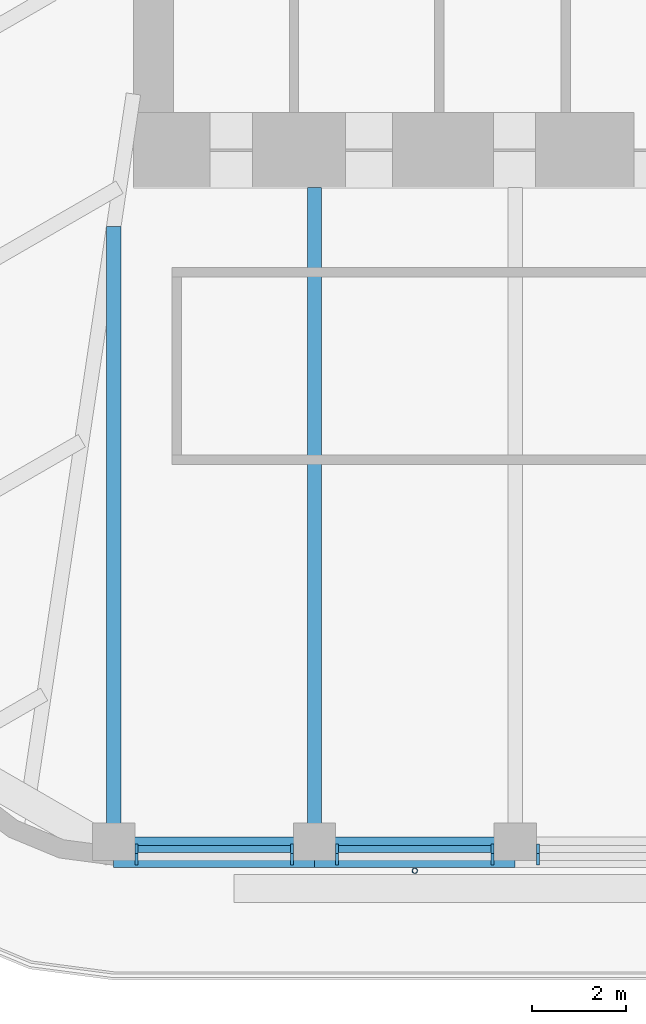
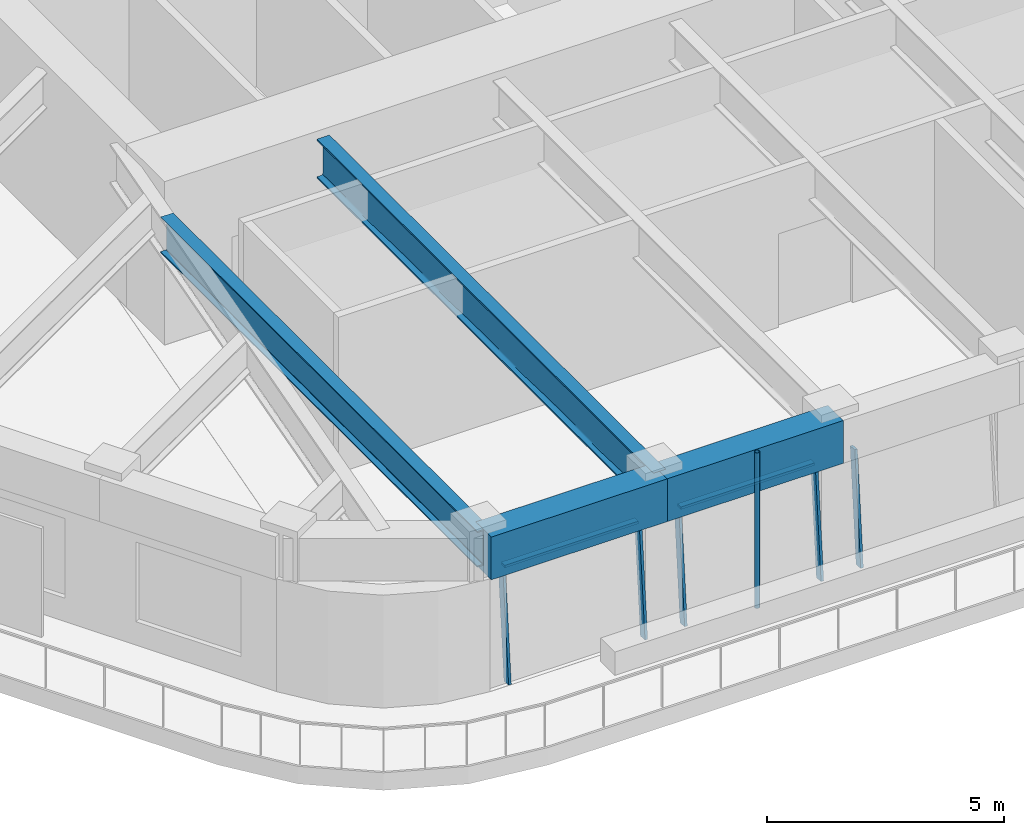
# One storey, part 2 of 19: 8 members, 4 beams, 3 elements without a shape of their own.
"""IFC4 building model written with IfcOpenShell, lengths in metres."""

from ifc_helpers import new_model, si_unit, direction, frame, origin, origin_2d, place, context, subcontext, project, spatial, rectangle, hollow_circle, i_section, extrude, material, material_profile, profile_set, type_object, element, aggregate, save


model = new_model("IFC4")

# Units and contexts
model_context = context("Model", 3, precision=1e-05, world=origin(), true_north=direction((0.0, 1.0)))
body_context = subcontext(model_context, "Body", "Model", "MODEL_VIEW")
ifc_project = project(units=[si_unit("LENGTHUNIT", "METRE"), si_unit("AREAUNIT", "SQUARE_METRE"), si_unit("VOLUMEUNIT", "CUBIC_METRE"), si_unit("PLANEANGLEUNIT", "RADIAN"), si_unit("MASSUNIT", "GRAM", prefix="KILO")], contexts=[model_context])

# Site, building, storey
site_placement = place(None, origin())
site = spatial("IfcSite", under=ifc_project, at=site_placement, CompositionType="ELEMENT")
building_placement = place(site_placement, origin())
building = spatial("IfcBuilding", under=site, at=building_placement, Name="Tarfa Lantern Tower", CompositionType="ELEMENT")
storey_placement = place(building_placement, frame((0.0, 0.0, 357.699951171875)))
storey = spatial("IfcBuildingStorey", under=building, at=storey_placement, Name="L81", CompositionType="ELEMENT", Elevation=357.699951171875)

# Curtain wall, members
ifc_material_1 = material(Name="Aluminium framed curtain wall", Category="aluminium")
curtain_wall_type = type_object("IfcCurtainWallType", Name="CW4 CANTED GLAZING EXECUTIVE ZONE 2900", PredefinedType="USERDEFINED", material=ifc_material_1)
curtain_wall_1_placement = place(storey_placement, origin())
curtain_wall_1 = element("IfcCurtainWall", 1, at=curtain_wall_1_placement, inside=storey, type_object=curtain_wall_type, Name="CW4 S L81", ObjectType="CURTAIN WALL", PredefinedType="USERDEFINED")
ifc_material_2 = material(Name="Aluminium mullion", Category="aluminium")
ifc_material_profile_1 = material_profile(ifc_material_2, rectangle(XDim=0.06494140625, YDim=0.199951171875, at=origin_2d()), Name="AL MULLION 65x200")
ifc_profile_set_1 = profile_set([ifc_material_profile_1], Name="Aluminium mullion")
member_type_1 = type_object("IfcMemberType", Name="CWM1 MULLION 65x200", PredefinedType="MULLION", material=ifc_profile_set_1)
member_1_placement = place(storey_placement, frame((-12.363525390625, -26.64990234375, 0.0), z_axis=(0.0, 0.085884035992, 0.996305140186), x_axis=(-1.0, 0.0, 0.0)))
member_1 = element("IfcMember", 2, at=member_1_placement, type_object=member_type_1, Name="CW4 mullion 1", PredefinedType="MULLION", context=body_context, shape_type="SweptSolid", body=[
    extrude(rectangle(XDim=0.06494140625, YDim=0.199951171875, at=origin_2d()), origin(), (0.0, 0.0, 1.0), 2.910888671875),
])
member_2_placement = place(storey_placement, frame((-9.046630859375, -26.64990234375, 0.0), z_axis=(0.0, 0.085884035992, 0.996305140186), x_axis=(-1.0, 0.0, 0.0)))
member_2 = element("IfcMember", 3, at=member_2_placement, type_object=member_type_1, Name="CW4 mullion 2", PredefinedType="MULLION", context=body_context, shape_type="SweptSolid", body=[
    extrude(rectangle(XDim=0.06494140625, YDim=0.199951171875, at=origin_2d()), origin(), (0.0, 0.0, 1.0), 2.910888671875),
])

curtain_wall_2_placement = place(storey_placement, origin())
curtain_wall_2 = element("IfcCurtainWall", 4, at=curtain_wall_2_placement, inside=storey, type_object=curtain_wall_type, Name="CW4 S L81", ObjectType="CURTAIN WALL", PredefinedType="USERDEFINED")
member_3_placement = place(storey_placement, frame((-8.08154296875, -26.64990234375, 0.0), z_axis=(0.0, 0.085884035992, 0.996305140186), x_axis=(-1.0, 0.0, 0.0)))
member_3 = element("IfcMember", 5, at=member_3_placement, type_object=member_type_1, Name="CW4 mullion 1", PredefinedType="MULLION", context=body_context, shape_type="SweptSolid", body=[
    extrude(rectangle(XDim=0.06494140625, YDim=0.199951171875, at=origin_2d()), origin(), (0.0, 0.0, 1.0), 2.910888671875),
])
member_4_placement = place(storey_placement, frame((-4.764404296875, -26.64990234375, 0.0), z_axis=(0.0, 0.085884035992, 0.996305140186), x_axis=(-1.0, 0.0, 0.0)))
member_4 = element("IfcMember", 6, at=member_4_placement, type_object=member_type_1, Name="CW4 mullion 2", PredefinedType="MULLION", context=body_context, shape_type="SweptSolid", body=[
    extrude(rectangle(XDim=0.06494140625, YDim=0.199951171875, at=origin_2d()), origin(), (0.0, 0.0, 1.0), 2.910888671875),
])

# Curtain wall, member
curtain_wall_3_placement = place(storey_placement, origin())
curtain_wall_3 = element("IfcCurtainWall", 7, at=curtain_wall_3_placement, inside=storey, type_object=curtain_wall_type, Name="CW4 S L81", ObjectType="CURTAIN WALL", PredefinedType="USERDEFINED")
member_5_placement = place(storey_placement, frame((-3.799560546875, -26.64990234375, 0.0), z_axis=(0.0, 0.085884035992, 0.996305140186), x_axis=(-1.0, 0.0, 0.0)))
member_5 = element("IfcMember", 8, at=member_5_placement, type_object=member_type_1, Name="CW4 mullion 1", PredefinedType="MULLION", context=body_context, shape_type="SweptSolid", body=[
    extrude(rectangle(XDim=0.06494140625, YDim=0.199951171875, at=origin_2d()), origin(), (0.0, 0.0, 1.0), 2.910888671875),
])
aggregate(curtain_wall_3, [member_5])

# Member
ifc_material_3 = material(Name="Aluminium transom", Category="aluminium")
ifc_material_profile_2 = material_profile(ifc_material_3, rectangle(XDim=0.14990234375, YDim=0.06494140625, at=origin_2d()), Name="AL TRANSOM 150x65")
ifc_profile_set_2 = profile_set([ifc_material_profile_2], Name="Aluminium transom")
member_type_2 = type_object("IfcMemberType", Name="CWT1 TRANSOM 150x65", PredefinedType="USERDEFINED", material=ifc_profile_set_2)
member_6_placement = place(storey_placement, frame((-12.3310546875, -26.40283203125, 2.867431640625), z_axis=(1.0, 0.0, 0.0), x_axis=(0.0, 1.0, 0.0)))
member_6 = element("IfcMember", 9, at=member_6_placement, type_object=member_type_2, Name="CW4 transom 1.2", ObjectType="TRANSOM", PredefinedType="USERDEFINED", context=body_context, shape_type="SweptSolid", body=[
    extrude(rectangle(XDim=0.14990234375, YDim=0.06494140625, at=origin_2d()), origin(), (0.0, 0.0, 1.0), 3.251953125),
])

aggregate(curtain_wall_1, [member_1, member_2, member_6])

member_7_placement = place(storey_placement, frame((-8.049072265625, -26.40283203125, 2.867431640625), z_axis=(1.0, 0.0, 0.0), x_axis=(0.0, 1.0, 0.0)))
member_7 = element("IfcMember", 10, at=member_7_placement, type_object=member_type_2, Name="CW4 transom 1.2", ObjectType="TRANSOM", PredefinedType="USERDEFINED", context=body_context, shape_type="SweptSolid", body=[
    extrude(rectangle(XDim=0.14990234375, YDim=0.06494140625, at=origin_2d()), origin(), (0.0, 0.0, 1.0), 3.251953125),
])

aggregate(curtain_wall_2, [member_3, member_4, member_7])

# Beams
ifc_material_4 = material(Name="Concrete C80/95", Category="concrete")
ifc_material_profile_3 = material_profile(ifc_material_4, rectangle(XDim=0.64990234375, YDim=1.10009765625, at=origin_2d()), Name="RC 650x1100")
ifc_profile_set_3 = profile_set([ifc_material_profile_3], Name="Concrete C80/95")
beam_type_1 = type_object("IfcBeamType", Name="EB4 RC 650x1100", PredefinedType="SPANDREL", material=ifc_profile_set_3)
for number, where, z_axis, x_axis, name in (
    (11, (-12.845947265625, -26.469970703125, 3.449951171875), (1.0, 0.0, 0.0), (0.0, 1.0, 0.0), "Edge beam S0"),
    (12, (-8.56396484375, -26.469970703125, 3.449951171875), (1.0, 0.0, 0.0), (0.0, 1.0, 0.0), "Edge beam S1"),
):
    element("IfcBeam", number, at=place(storey_placement, frame(where, z_axis=z_axis, x_axis=x_axis)), inside=storey, type_object=beam_type_1, Name=name, PredefinedType="SPANDREL", context=body_context, shape_type="SweptSolid", body=[
        extrude(rectangle(XDim=0.64990234375, YDim=1.10009765625, at=origin_2d()), origin(), (0.0, 0.0, 1.0), 4.281982421875),
    ])

# Member
ifc_material_5 = material(Name="Steel S355", Category="steel")
ifc_material_profile_4 = material_profile(ifc_material_5, hollow_circle(Radius=0.05712890625, WallThickness=0.00634765625, at=origin_2d()), Name="CHS114.3x6.3")
ifc_profile_set_4 = profile_set([ifc_material_profile_4], Name="Steel S355")
member_type_3 = type_object("IfcMemberType", Name="TR1 GREEN WALL TRELLIS CHS114.3x6.3", PredefinedType="USERDEFINED", material=ifc_profile_set_4)
member_8_placement = place(storey_placement, frame((-6.423095703125, -26.8701171875, 0.0), z_axis=(0.0, 0.0, 1.0), x_axis=(1.0, 0.0, 0.0)))
element("IfcMember", 13, at=member_8_placement, inside=storey, type_object=member_type_3, Name="Trellis post S 1", ObjectType="TRELLIS", PredefinedType="USERDEFINED", context=body_context, shape_type="SweptSolid", body=[
    extrude(hollow_circle(Radius=0.05712890625, WallThickness=0.00634765625, at=origin_2d()), origin(), (0.0, 0.0, 1.0), 4.0),
])

# Beams
ifc_material_6 = material(Name="Steel S460M", Category="steel")
ifc_material_profile_5 = material_profile(ifc_material_6, i_section(OverallWidth=0.302001953125, OverallDepth=1.008056640625, WebThickness=0.02099609375, FlangeThickness=0.0400390625, FilletRadius=0.030029296875, at=origin_2d()), Name="UB1016x305x349")
ifc_profile_set_5 = profile_set([ifc_material_profile_5], Name="Steel S460M")
beam_type_2 = type_object("IfcBeamType", Name="UB1016x305x349", PredefinedType="BEAM", material=ifc_profile_set_5)
beam_1_placement = place(storey_placement, frame((-8.56396484375, -26.469970703125, 3.49609375), z_axis=(0.0, 1.0, 0.0), x_axis=(-1.0, 0.0, 0.0)))
element("IfcBeam", 14, at=beam_1_placement, inside=storey, type_object=beam_type_2, Name="Floor beam S1", PredefinedType="BEAM", context=body_context, shape_type="SweptSolid", body=[
    extrude(i_section(OverallWidth=0.302001953125, OverallDepth=1.008056640625, WebThickness=0.02099609375, FlangeThickness=0.0400390625, FilletRadius=0.030029296875, at=origin_2d()), origin(), (0.0, 0.0, 1.0), 14.169921875),
])
ifc_material_profile_6 = material_profile(ifc_material_6, i_section(OverallWidth=0.305419921875, OverallDepth=0.91845703125, WebThickness=0.017333984375, FlangeThickness=0.02783203125, FilletRadius=0.01904296875, at=origin_2d()), Name="UB914x305x253")
ifc_profile_set_6 = profile_set([ifc_material_profile_6], Name="Steel S460M")
beam_type_3 = type_object("IfcBeamType", Name="UB914x305x253", PredefinedType="BEAM", material=ifc_profile_set_6)
beam_2_placement = place(storey_placement, frame((-12.845947265625, -26.469970703125, 3.540771484375), z_axis=(0.0, 1.0, 0.0), x_axis=(-1.0, 0.0, 0.0)))
element("IfcBeam", 15, at=beam_2_placement, inside=storey, type_object=beam_type_3, Name="Floor beam S0", PredefinedType="BEAM", context=body_context, shape_type="SweptSolid", body=[
    extrude(i_section(OverallWidth=0.305419921875, OverallDepth=0.91845703125, WebThickness=0.017333984375, FlangeThickness=0.02783203125, FilletRadius=0.01904296875, at=origin_2d()), origin(), (0.0, 0.0, 1.0), 13.33935546875),
])

save(model, "model.ifc")
